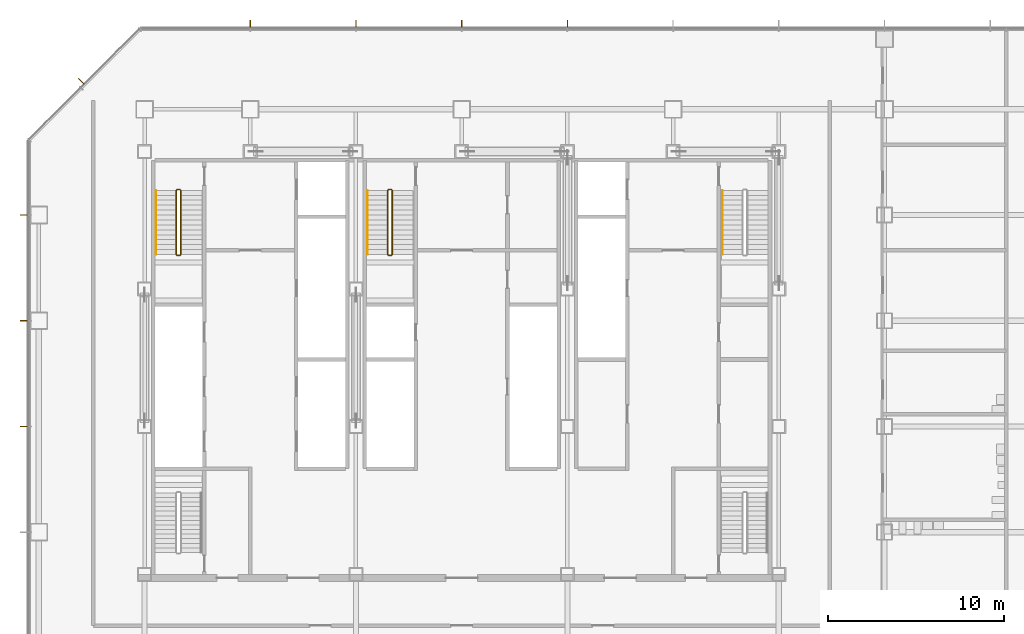
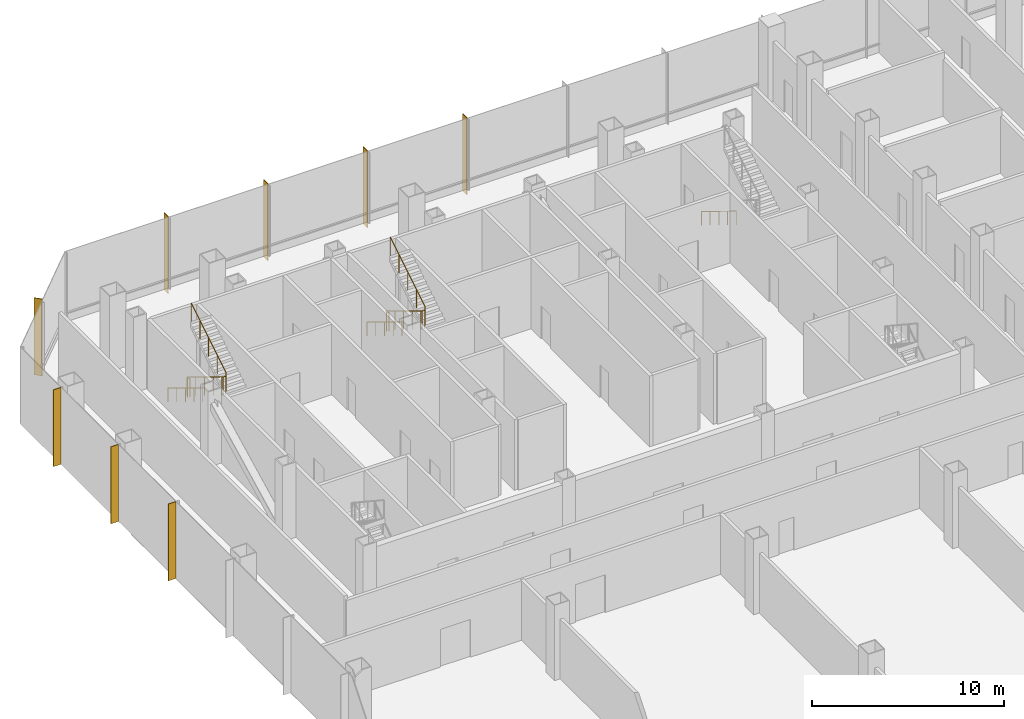
# One storey, part 30 of 34: 8 shading devices, 5 railings.
"""IFC4 building model written with IfcOpenShell, lengths in metres."""

from ifc_helpers import new_model, si_unit, direction, frame, origin, origin_2d, place, context, subcontext, project, spatial, rectangle, circle, extrude, material, material_profile, profile_set, type_object, element, save


model = new_model("IFC4")

# Units and contexts
model_context = context("Model", 3, precision=1e-05, world=origin(), true_north=direction((0.0, 1.0)))
body_context = subcontext(model_context, "Body", "Model", "MODEL_VIEW")
ifc_project = project(units=[si_unit("LENGTHUNIT", "METRE"), si_unit("AREAUNIT", "SQUARE_METRE"), si_unit("VOLUMEUNIT", "CUBIC_METRE"), si_unit("PLANEANGLEUNIT", "RADIAN"), si_unit("MASSUNIT", "GRAM", prefix="KILO")], contexts=[model_context])

# Site, building, storey
site_placement = place(None, origin())
site = spatial("IfcSite", under=ifc_project, at=site_placement, CompositionType="ELEMENT")
building_placement = place(site_placement, origin())
building = spatial("IfcBuilding", under=site, at=building_placement, Name="Sorahane Residences", CompositionType="ELEMENT")
storey_placement = place(building_placement, frame((0.0, 0.0, 39.60009765625)))
storey = spatial("IfcBuildingStorey", under=building, at=storey_placement, Name="L06", CompositionType="ELEMENT", Elevation=39.60009765625)

# Shading devices
ifc_material_1 = material(Name="Terracotta anodised aluminium", Category="masonry")
ifc_material_profile = material_profile(ifc_material_1, rectangle(XDim=0.449951171875, YDim=0.0400390625, at=origin_2d()), Name="Podium vertical fin terracotta anodised aluminium 450x40")
ifc_profile_set = profile_set([ifc_material_profile], Name="Terracotta anodised aluminium")
shading_device_type = type_object("IfcShadingDeviceType", Name="Podium vertical fin terracotta anodised aluminium 450x40", PredefinedType="USERDEFINED", material=ifc_profile_set)
for number, where, z_axis, x_axis, name in (
    (1, (30.0, 52.844970703125, -0.400146484375), (0.0, 0.0, 1.0), (0.0, 1.0, 0.0), "Podium vertical fin L06 N1.6"),
    (2, (24.0, 52.844970703125, -0.400146484375), (0.0, 0.0, 1.0), (0.0, 1.0, 0.0), "Podium vertical fin L06 N1.7"),
    (3, (18.0, 52.844970703125, -0.400146484375), (0.0, 0.0, 1.0), (0.0, 1.0, 0.0), "Podium vertical fin L06 N1.8"),
    (4, (12.0, 52.844970703125, -0.400146484375), (0.0, 0.0, 1.0), (0.0, 1.0, 0.0), "Podium vertical fin L06 N1.9"),
    (5, (2.402587890625, 49.597412109375, -0.400146484375), (0.0, 0.0, 1.0), (-0.707106781187, 0.707106781187, 0.0), "Podium vertical fin L06 NW1.1"),
    (6, (-0.844970703125, 42.0, -0.400146484375), (0.0, 0.0, 1.0), (-1.0, 0.0, 0.0), "Podium vertical fin L06 W1.1"),
    (7, (-0.844970703125, 36.0, -0.400146484375), (0.0, 0.0, 1.0), (-1.0, 0.0, 0.0), "Podium vertical fin L06 W1.2"),
    (8, (-0.844970703125, 30.0, -0.400146484375), (0.0, 0.0, 1.0), (-1.0, 0.0, 0.0), "Podium vertical fin L06 W1.3"),
):
    element("IfcShadingDevice", number, at=place(storey_placement, frame(where, z_axis=z_axis, x_axis=x_axis)), inside=storey, type_object=shading_device_type, Name=name, ObjectType="Vertical fin", PredefinedType="USERDEFINED", context=body_context, shape_type="SweptSolid", body=[
        extrude(rectangle(XDim=0.449951171875, YDim=0.0400390625, at=origin_2d()), origin(), (0.0, 0.0, 1.0), 4.900146484375),
    ])

# Railings
ifc_material_2 = material(Name="Steel Q355B", Category="steel")
railing_type_1 = type_object("IfcRailingType", Name="Stair guard 1200 Steel Q355B", PredefinedType="GUARDRAIL", material=ifc_material_2)
railing_1_placement = place(storey_placement, frame((8.0, 43.449951171875, 0.0)))
element("IfcRailing", 9, at=railing_1_placement, inside=storey, type_object=railing_type_1, Name="L06 S1 stair guard 1", PredefinedType="GUARDRAIL", context=body_context, shape_type="SweptSolid", body=[
    extrude(circle(Radius=0.02392578125, at=origin_2d()), frame((0.0, 0.0, 1.17578125), z_axis=(-1.0, 0.0, 0.0), x_axis=(0.0, -1.0, 0.0)), (0.0, 0.0, 1.0), 0.14990234375),
    extrude(circle(Radius=0.02392578125, at=origin_2d()), frame((-0.14990234375, 0.0, 1.17578125), z_axis=(-0.269911200495, -0.269911200495, 0.924281281696), x_axis=(0.707106781187, -0.707106781187, 0.0)), (0.0, 0.0, 1.0), 0.185546875),
    extrude(circle(Radius=0.02392578125, at=origin_2d()), frame((-0.199951171875, -0.050048828125, 1.34716796875), z_axis=(0.0, -0.852850264322, 0.5221555579), x_axis=(1.0, 0.0, 0.0)), (0.0, 0.0, 1.0), 4.267822265625),
    extrude(circle(Radius=0.02392578125, at=origin_2d()), frame((-0.199951171875, -3.68994140625, 3.57568359375), z_axis=(0.707106781187, -0.707106781187, 0.0), x_axis=(0.707106781187, 0.707106781187, 0.0)), (0.0, 0.0, 1.0), 0.07080078125),
    extrude(circle(Radius=0.02392578125, at=origin_2d()), frame((-0.14990234375, -3.739990234375, 3.57568359375), z_axis=(1.0, 0.0, 0.0), x_axis=(0.0, 1.0, 0.0)), (0.0, 0.0, 1.0), 0.14990234375),
    extrude(circle(Radius=0.02392578125, at=origin_2d()), frame((0.0, -3.739990234375, 3.57568359375), z_axis=(0.269911200495, 0.269911200495, 0.924281281696), x_axis=(-0.707106781187, 0.707106781187, 0.0)), (0.0, 0.0, 1.0), 0.185546875),
    extrude(circle(Radius=0.02392578125, at=origin_2d()), frame((0.050048828125, -3.68994140625, 3.7470703125), z_axis=(0.0, 0.852850264322, 0.5221555579), x_axis=(-1.0, 0.0, 0.0)), (0.0, 0.0, 1.0), 4.267822265625),
    extrude(circle(Radius=0.02099609375, at=origin_2d()), origin(), (0.0, 0.0, 1.0), 1.15185546875),
    extrude(circle(Radius=0.02099609375, at=origin_2d()), frame((-0.14990234375, 0.0, 0.0)), (0.0, 0.0, 1.0), 1.15185546875),
    extrude(circle(Radius=0.02099609375, at=origin_2d()), frame((-0.199951171875, -0.050048828125, 0.17138671875)), (0.0, 0.0, 1.0), 1.15185546875),
    extrude(circle(Radius=0.02099609375, at=origin_2d()), frame((-0.199951171875, -0.9599609375, 0.728515625)), (0.0, 0.0, 1.0), 1.15185546875),
    extrude(circle(Radius=0.02099609375, at=origin_2d()), frame((-0.199951171875, -1.8701171875, 1.28564453125)), (0.0, 0.0, 1.0), 1.15185546875),
    extrude(circle(Radius=0.02099609375, at=origin_2d()), frame((-0.199951171875, -2.780029296875, 1.8427734375)), (0.0, 0.0, 1.0), 1.15185546875),
    extrude(circle(Radius=0.02099609375, at=origin_2d()), frame((-0.199951171875, -3.68994140625, 2.39990234375)), (0.0, 0.0, 1.0), 1.15185546875),
    extrude(circle(Radius=0.02099609375, at=origin_2d()), frame((-0.14990234375, -3.739990234375, 2.39990234375)), (0.0, 0.0, 1.0), 1.15185546875),
    extrude(circle(Radius=0.02099609375, at=origin_2d()), frame((0.0, -3.739990234375, 2.39990234375)), (0.0, 0.0, 1.0), 1.15185546875),
    extrude(circle(Radius=0.02099609375, at=origin_2d()), frame((0.050048828125, -3.68994140625, 2.5712890625)), (0.0, 0.0, 1.0), 1.15185546875),
    extrude(circle(Radius=0.02099609375, at=origin_2d()), frame((0.050048828125, -2.780029296875, 3.12841796875)), (0.0, 0.0, 1.0), 1.15185546875),
    extrude(circle(Radius=0.02099609375, at=origin_2d()), frame((0.050048828125, -1.8701171875, 3.685546875)), (0.0, 0.0, 1.0), 1.15185546875),
    extrude(circle(Radius=0.02099609375, at=origin_2d()), frame((0.050048828125, -0.9599609375, 4.24267578125)), (0.0, 0.0, 1.0), 1.15185546875),
    extrude(circle(Radius=0.02099609375, at=origin_2d()), frame((0.050048828125, -0.050048828125, 4.7998046875)), (0.0, 0.0, 1.0), 1.15185546875),
])
railing_2_placement = place(storey_placement, frame((20.0, 43.449951171875, 0.0)))
element("IfcRailing", 10, at=railing_2_placement, inside=storey, type_object=railing_type_1, Name="L06 S3 stair guard 1", PredefinedType="GUARDRAIL", context=body_context, shape_type="SweptSolid", body=[
    extrude(circle(Radius=0.02392578125, at=origin_2d()), frame((0.0, 0.0, 1.17578125), z_axis=(-1.0, 0.0, 0.0), x_axis=(0.0, -1.0, 0.0)), (0.0, 0.0, 1.0), 0.14990234375),
    extrude(circle(Radius=0.02392578125, at=origin_2d()), frame((-0.14990234375, 0.0, 1.17578125), z_axis=(-0.269911200495, -0.269911200495, 0.924281281696), x_axis=(0.707106781187, -0.707106781187, 0.0)), (0.0, 0.0, 1.0), 0.185546875),
    extrude(circle(Radius=0.02392578125, at=origin_2d()), frame((-0.199951171875, -0.050048828125, 1.34716796875), z_axis=(0.0, -0.852850264322, 0.5221555579), x_axis=(1.0, 0.0, 0.0)), (0.0, 0.0, 1.0), 4.267822265625),
    extrude(circle(Radius=0.02392578125, at=origin_2d()), frame((-0.199951171875, -3.68994140625, 3.57568359375), z_axis=(0.707106781187, -0.707106781187, 0.0), x_axis=(0.707106781187, 0.707106781187, 0.0)), (0.0, 0.0, 1.0), 0.07080078125),
    extrude(circle(Radius=0.02392578125, at=origin_2d()), frame((-0.14990234375, -3.739990234375, 3.57568359375), z_axis=(1.0, 0.0, 0.0), x_axis=(0.0, 1.0, 0.0)), (0.0, 0.0, 1.0), 0.14990234375),
    extrude(circle(Radius=0.02392578125, at=origin_2d()), frame((0.0, -3.739990234375, 3.57568359375), z_axis=(0.269911200495, 0.269911200495, 0.924281281696), x_axis=(-0.707106781187, 0.707106781187, 0.0)), (0.0, 0.0, 1.0), 0.185546875),
    extrude(circle(Radius=0.02392578125, at=origin_2d()), frame((0.050048828125, -3.68994140625, 3.7470703125), z_axis=(0.0, 0.852850264322, 0.5221555579), x_axis=(-1.0, 0.0, 0.0)), (0.0, 0.0, 1.0), 4.267822265625),
    extrude(circle(Radius=0.02099609375, at=origin_2d()), origin(), (0.0, 0.0, 1.0), 1.15185546875),
    extrude(circle(Radius=0.02099609375, at=origin_2d()), frame((-0.14990234375, 0.0, 0.0)), (0.0, 0.0, 1.0), 1.15185546875),
    extrude(circle(Radius=0.02099609375, at=origin_2d()), frame((-0.199951171875, -0.050048828125, 0.17138671875)), (0.0, 0.0, 1.0), 1.15185546875),
    extrude(circle(Radius=0.02099609375, at=origin_2d()), frame((-0.199951171875, -0.9599609375, 0.728515625)), (0.0, 0.0, 1.0), 1.15185546875),
    extrude(circle(Radius=0.02099609375, at=origin_2d()), frame((-0.199951171875, -1.8701171875, 1.28564453125)), (0.0, 0.0, 1.0), 1.15185546875),
    extrude(circle(Radius=0.02099609375, at=origin_2d()), frame((-0.199951171875, -2.780029296875, 1.8427734375)), (0.0, 0.0, 1.0), 1.15185546875),
    extrude(circle(Radius=0.02099609375, at=origin_2d()), frame((-0.199951171875, -3.68994140625, 2.39990234375)), (0.0, 0.0, 1.0), 1.15185546875),
    extrude(circle(Radius=0.02099609375, at=origin_2d()), frame((-0.14990234375, -3.739990234375, 2.39990234375)), (0.0, 0.0, 1.0), 1.15185546875),
    extrude(circle(Radius=0.02099609375, at=origin_2d()), frame((0.0, -3.739990234375, 2.39990234375)), (0.0, 0.0, 1.0), 1.15185546875),
    extrude(circle(Radius=0.02099609375, at=origin_2d()), frame((0.050048828125, -3.68994140625, 2.5712890625)), (0.0, 0.0, 1.0), 1.15185546875),
    extrude(circle(Radius=0.02099609375, at=origin_2d()), frame((0.050048828125, -2.780029296875, 3.12841796875)), (0.0, 0.0, 1.0), 1.15185546875),
    extrude(circle(Radius=0.02099609375, at=origin_2d()), frame((0.050048828125, -1.8701171875, 3.685546875)), (0.0, 0.0, 1.0), 1.15185546875),
    extrude(circle(Radius=0.02099609375, at=origin_2d()), frame((0.050048828125, -0.9599609375, 4.24267578125)), (0.0, 0.0, 1.0), 1.15185546875),
    extrude(circle(Radius=0.02099609375, at=origin_2d()), frame((0.050048828125, -0.050048828125, 4.7998046875)), (0.0, 0.0, 1.0), 1.15185546875),
])
ifc_material_3 = material(Name="Steel Q355B", Category="steel")
railing_type_2 = type_object("IfcRailingType", Name="Stair handrail 900 Steel Q355B", PredefinedType="HANDRAIL", material=ifc_material_3)
for number, where, name in (
    (11, (6.64990234375, 43.39990234375, 0.17138671875), "L06 S1 stair handrail 1"),
    (12, (38.800048828125, 43.39990234375, 0.17138671875), "L06 S2 stair handrail 1"),
    (13, (18.64990234375, 43.39990234375, 0.17138671875), "L06 S3 stair handrail 1"),
):
    element("IfcRailing", number, at=place(storey_placement, frame(where)), inside=storey, type_object=railing_type_2, Name=name, PredefinedType="HANDRAIL", context=body_context, shape_type="SweptSolid", body=[
        extrude(circle(Radius=0.02392578125, at=origin_2d()), frame((0.0, 0.0, 0.8759765625), z_axis=(0.0, -0.852850264322, 0.5221555579), x_axis=(1.0, 0.0, 0.0)), (0.0, 0.0, 1.0), 4.267822265625),
        extrude(circle(Radius=0.02099609375, at=origin_2d()), origin(), (0.0, 0.0, 1.0), 0.851806640625),
        extrude(circle(Radius=0.02099609375, at=origin_2d()), frame((0.0, -0.909912109375, 0.55712890625)), (0.0, 0.0, 1.0), 0.851806640625),
        extrude(circle(Radius=0.02099609375, at=origin_2d()), frame((0.0, -1.81982421875, 1.1142578125)), (0.0, 0.0, 1.0), 0.851806640625),
        extrude(circle(Radius=0.02099609375, at=origin_2d()), frame((0.0, -2.72998046875, 1.67138671875)), (0.0, 0.0, 1.0), 0.851806640625),
        extrude(circle(Radius=0.02099609375, at=origin_2d()), frame((0.0, -3.639892578125, 2.228515625)), (0.0, 0.0, 1.0), 0.851806640625),
    ])

save(model, "model.ifc")
